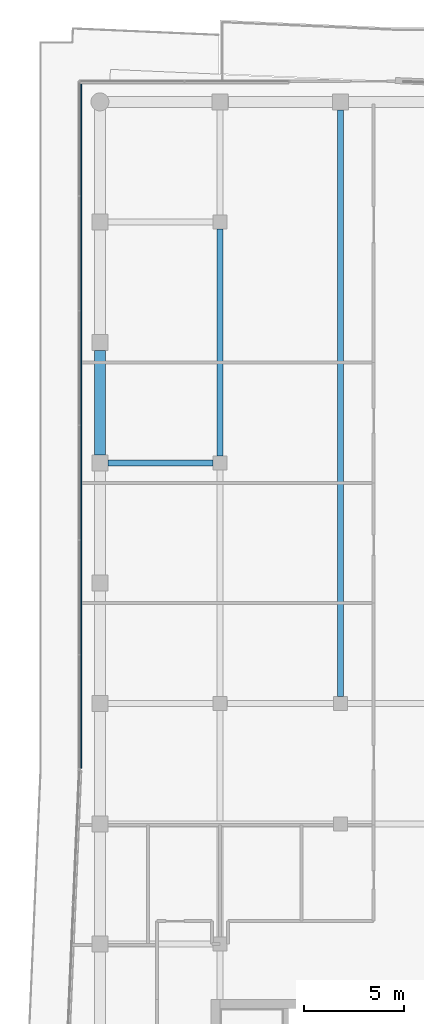
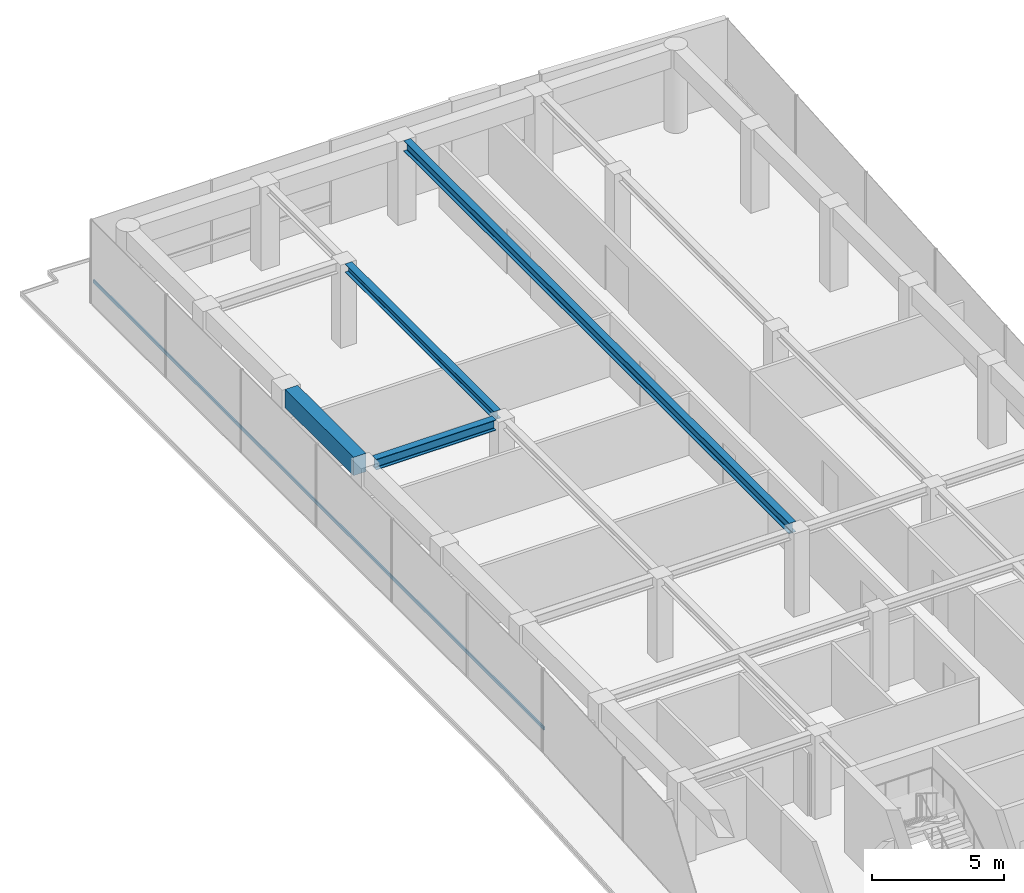
# One storey, part 10 of 20: 4 beams, 1 member, 1 element without a shape of its own.
"""IFC4 building model written with IfcOpenShell, lengths in metres."""

from ifc_helpers import new_model, si_unit, direction, frame, origin, origin_2d, place, context, subcontext, project, spatial, rectangle, i_section, extrude, material, layer, layer_set, material_profile, profile_set, type_object, element, aggregate, save


model = new_model("IFC4")

# Units and contexts
model_context = context("Model", 3, precision=1e-05, world=origin(), true_north=direction((0.0, 1.0)))
body_context = subcontext(model_context, "Body", "Model", "MODEL_VIEW")
ifc_project = project(units=[si_unit("LENGTHUNIT", "METRE"), si_unit("AREAUNIT", "SQUARE_METRE"), si_unit("VOLUMEUNIT", "CUBIC_METRE"), si_unit("PLANEANGLEUNIT", "RADIAN"), si_unit("MASSUNIT", "GRAM", prefix="KILO")], contexts=[model_context])

# Site, building, storey
site_placement = place(None, origin())
site = spatial("IfcSite", under=ifc_project, at=site_placement, CompositionType="ELEMENT")
building_placement = place(site_placement, origin())
building = spatial("IfcBuilding", under=site, at=building_placement, Name="Welwitschia Terrace Campus", CompositionType="ELEMENT")
storey_placement = place(building_placement, frame((0.0, 0.0, 239.0)))
storey = spatial("IfcBuildingStorey", under=building, at=storey_placement, Name="L53", CompositionType="ELEMENT", Elevation=239.0)

# Beams
ifc_material_1 = material(Name="Steel S355", Category="steel")
ifc_material_profile_1 = material_profile(ifc_material_1, i_section(OverallWidth=0.300048828125, OverallDepth=0.389892578125, WebThickness=0.010986328125, FlangeThickness=0.01904296875, FilletRadius=0.027099609375, at=origin_2d()))
ifc_profile_set_1 = profile_set([ifc_material_profile_1], Name="Steel S355")
beam_type_1 = type_object("IfcBeamType", Name="Interior girder HE 400 A", PredefinedType="BEAM", material=ifc_profile_set_1)
beam_1_placement = place(storey_placement, frame((6.0, 52.3505859375, 3.655029296875), z_axis=(0.0, 1.0, 0.0), x_axis=(-1.0, 0.0, 0.0)))
element("IfcBeam", 1, at=beam_1_placement, inside=storey, type_object=beam_type_1, Name="Girder GB5", PredefinedType="BEAM", context=body_context, shape_type="SweptSolid", body=[
    extrude(i_section(OverallWidth=0.300048828125, OverallDepth=0.389892578125, WebThickness=0.010986328125, FlangeThickness=0.01904296875, FilletRadius=0.027099609375, at=origin_2d()), origin(), (0.0, 0.0, 1.0), 11.298828125),
])
ifc_material_2 = material(Name="Steel S355", Category="steel")
ifc_material_profile_2 = material_profile(ifc_material_2, i_section(OverallWidth=0.300048828125, OverallDepth=0.489990234375, WebThickness=0.011962890625, FlangeThickness=0.02294921875, FilletRadius=0.027099609375, at=origin_2d()))
ifc_profile_set_2 = profile_set([ifc_material_profile_2], Name="Steel S355")
beam_type_2 = type_object("IfcBeamType", Name="Primary beam HE 500 A", PredefinedType="BEAM", material=ifc_profile_set_2)
beam_2_placement = place(storey_placement, frame((12.0, 69.599609375, 3.60498046875), z_axis=(0.0, -1.0, 0.0), x_axis=(1.0, 0.0, 0.0)))
element("IfcBeam", 2, at=beam_2_placement, inside=storey, type_object=beam_type_2, Name="Primary beam PB5", PredefinedType="BEAM", context=body_context, shape_type="SweptSolid", body=[
    extrude(i_section(OverallWidth=0.300048828125, OverallDepth=0.489990234375, WebThickness=0.011962890625, FlangeThickness=0.02294921875, FilletRadius=0.027099609375, at=origin_2d()), origin(), (0.0, 0.0, 1.0), 29.2490234375),
])
beam_3_placement = place(storey_placement, frame((0.400390625, 52.0, 3.60498046875), z_axis=(1.0, 0.0, 0.0), x_axis=(0.0, 1.0, 0.0)))
element("IfcBeam", 3, at=beam_3_placement, inside=storey, type_object=beam_type_2, Name="Primary beam PB5", PredefinedType="BEAM", context=body_context, shape_type="SweptSolid", body=[
    extrude(i_section(OverallWidth=0.300048828125, OverallDepth=0.489990234375, WebThickness=0.011962890625, FlangeThickness=0.02294921875, FilletRadius=0.027099609375, at=origin_2d()), origin(), (0.0, 0.0, 1.0), 5.2490234375),
])
ifc_material_3 = material(Name="Concrete C50/60", Category="concrete")
ifc_material_profile_3 = material_profile(ifc_material_3, rectangle(XDim=0.550048828125, YDim=0.85009765625, at=origin_2d()))
ifc_profile_set_3 = profile_set([ifc_material_profile_3], Name="Concrete C50/60")
beam_type_3 = type_object("IfcBeamType", Name="Ring spandrel 550x850", PredefinedType="SPANDREL", material=ifc_profile_set_3)
beam_4_placement = place(storey_placement, frame((0.0, 57.599609375, 3.425048828125), z_axis=(0.0, -1.0, 0.0), x_axis=(1.0, 0.0, 0.0)))
element("IfcBeam", 4, at=beam_4_placement, inside=storey, type_object=beam_type_3, Name="Spandrel SP3", PredefinedType="SPANDREL", context=body_context, shape_type="SweptSolid", body=[
    extrude(rectangle(XDim=0.550048828125, YDim=0.85009765625, at=origin_2d()), origin(), (0.0, 0.0, 1.0), 5.19921875),
])

# Curtain wall, member
ifc_material_4 = material(Name="Bronze anodised aluminium", Category="aluminium")
ifc_layer = layer(ifc_material_4, 0.1201171875)
ifc_layer_set = layer_set([ifc_layer], Name="Bronze anodised aluminium")
curtain_wall_type = type_object("IfcCurtainWallType", Name="Curtain wall CW2 tower 6000", PredefinedType="NOTDEFINED", material=ifc_layer_set)
curtain_wall_placement = place(storey_placement, origin())
curtain_wall = element("IfcCurtainWall", 5, at=curtain_wall_placement, inside=storey, type_object=curtain_wall_type, Name="CW L53.10.0", PredefinedType="NOTDEFINED")
ifc_material_5 = material(Name="Bronze anodised aluminium", Category="aluminium")
ifc_material_profile_4 = material_profile(ifc_material_5, rectangle(XDim=0.06005859375, YDim=0.14990234375, at=origin_2d()))
ifc_profile_set_4 = profile_set([ifc_material_profile_4], Name="Bronze anodised aluminium")
member_type = type_object("IfcMemberType", Name="Transom 60x150", PredefinedType="USERDEFINED", material=ifc_profile_set_4)
member_placement = place(storey_placement, frame((-0.93994140625, 70.969970703125, 1.0), z_axis=(0.0, -1.0, 0.0), x_axis=(1.0, 0.0, 0.0)))
member = element("IfcMember", 6, at=member_placement, type_object=member_type, Name="Transom L53.10.0", ObjectType="TRANSOM", PredefinedType="USERDEFINED", context=body_context, shape_type="SweptSolid", body=[
    extrude(rectangle(XDim=0.06005859375, YDim=0.14990234375, at=origin_2d()), origin(), (0.0, 0.0, 1.0), 34.194580078125),
])
aggregate(curtain_wall, [member])

save(model, "model.ifc")
